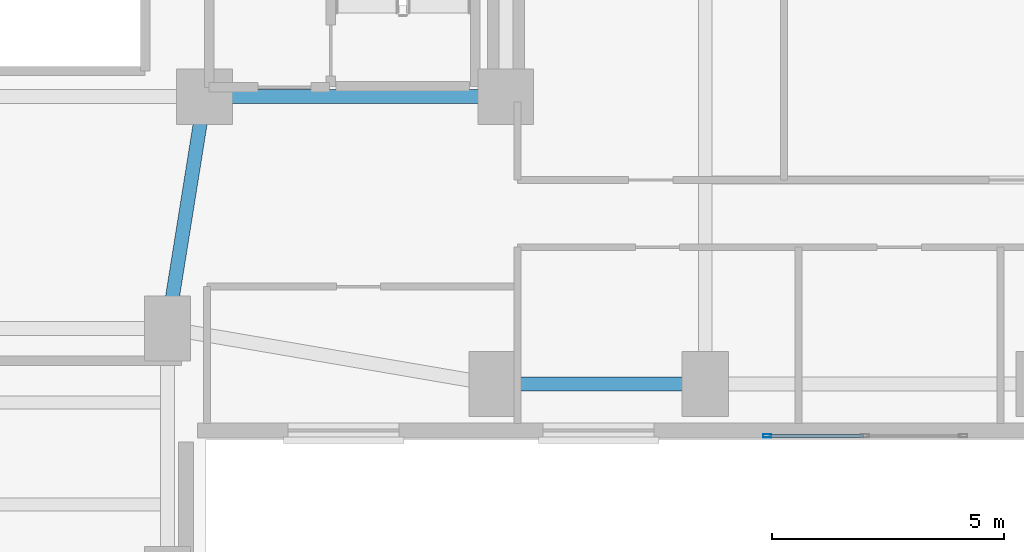
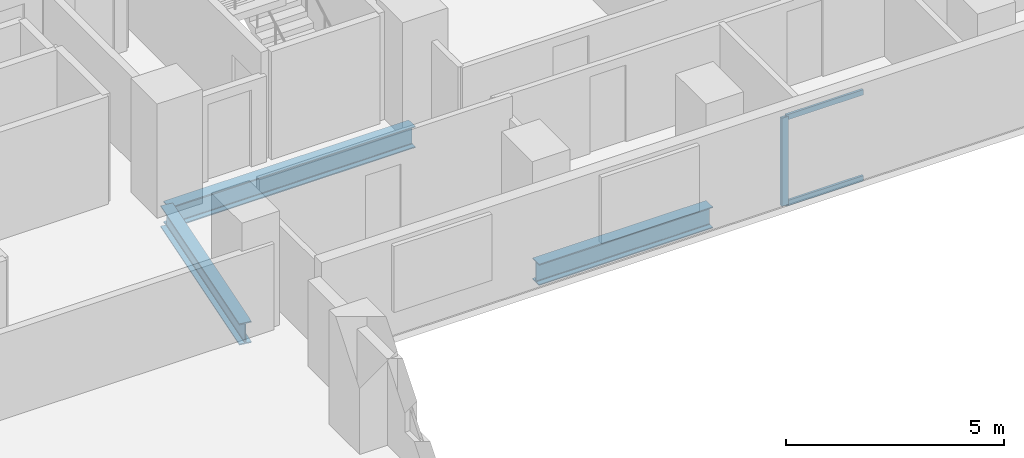
# One storey, part 4 of 15: 3 beams, 3 members, 1 element without a shape of its own.
"""IFC4 building model written with IfcOpenShell, lengths in metres."""

from ifc_helpers import new_model, si_unit, direction, frame, origin, origin_2d, place, context, subcontext, project, spatial, hollow_rectangle, i_section, extrude, material, material_profile, profile_set, type_object, element, aggregate, save


model = new_model("IFC4")

# Units and contexts
model_context = context("Model", 3, precision=1e-05, world=origin(), true_north=direction((0.0, 1.0)))
body_context = subcontext(model_context, "Body", "Model", "MODEL_VIEW")
ifc_project = project(units=[si_unit("LENGTHUNIT", "METRE"), si_unit("AREAUNIT", "SQUARE_METRE"), si_unit("VOLUMEUNIT", "CUBIC_METRE"), si_unit("PLANEANGLEUNIT", "RADIAN"), si_unit("MASSUNIT", "GRAM", prefix="KILO")], contexts=[model_context])

# Site, building, storey
site_placement = place(None, origin())
site = spatial("IfcSite", under=ifc_project, at=site_placement, CompositionType="ELEMENT")
building_placement = place(site_placement, origin())
building = spatial("IfcBuilding", under=site, at=building_placement, Name="Kuzgunbayir Cultural Tower", CompositionType="ELEMENT")
storey_placement = place(building_placement, frame((0.0, 0.0, 59.60009765625)))
storey = spatial("IfcBuildingStorey", under=building, at=storey_placement, Name="L16", CompositionType="ELEMENT", Elevation=59.60009765625)

# Beams
ifc_material_1 = material(Name="Steel S355J2", Category="steel")
ifc_material_profile_1 = material_profile(ifc_material_1, i_section(OverallWidth=0.300048828125, OverallDepth=0.60009765625, WebThickness=0.015380859375, FlangeThickness=0.030029296875, FilletRadius=0.027099609375, at=origin_2d()), Name="HEB 600")
ifc_profile_set_1 = profile_set([ifc_material_profile_1], Name="Steel S355J2")
beam_type_1 = type_object("IfcBeamType", Name="BM-EXT-HEB600", PredefinedType="BEAM", material=ifc_profile_set_1)
beam_1_placement = place(storey_placement, frame((26.60009765625, 27.60009765625, -0.47998046875), z_axis=(1.0, 0.0, 0.0), x_axis=(0.0, 1.0, 0.0)))
element("IfcBeam", 1, at=beam_1_placement, inside=storey, type_object=beam_type_1, Name="L16 Wing B South Girder 1", PredefinedType="BEAM", context=body_context, shape_type="SweptSolid", body=[
    extrude(i_section(OverallWidth=0.300048828125, OverallDepth=0.60009765625, WebThickness=0.015380859375, FlangeThickness=0.030029296875, FilletRadius=0.027099609375, at=origin_2d()), origin(), (0.0, 0.0, 1.0), 4.599853515625),
])
ifc_material_profile_2 = material_profile(ifc_material_1, i_section(OverallWidth=0.300048828125, OverallDepth=0.60009765625, WebThickness=0.015380859375, FlangeThickness=0.030029296875, FilletRadius=0.027099609375, at=origin_2d()), Name="HEB 600")
ifc_profile_set_2 = profile_set([ifc_material_profile_2], Name="Steel S355J2")
beam_type_2 = type_object("IfcBeamType", Name="BM-GIR-HEB600", PredefinedType="BEAM", material=ifc_profile_set_2)
beam_2_placement = place(storey_placement, frame((20.39990234375, 33.800048828125, -0.47998046875), z_axis=(1.0, 0.0, 0.0), x_axis=(0.0, 1.0, 0.0)))
element("IfcBeam", 2, at=beam_2_placement, inside=storey, type_object=beam_type_2, Name="L16 Core South Girder 3", PredefinedType="BEAM", context=body_context, shape_type="SweptSolid", body=[
    extrude(i_section(OverallWidth=0.300048828125, OverallDepth=0.60009765625, WebThickness=0.015380859375, FlangeThickness=0.030029296875, FilletRadius=0.027099609375, at=origin_2d()), origin(), (0.0, 0.0, 1.0), 6.5),
])
beam_3_placement = place(storey_placement, frame((19.60009765625, 28.800048828125, -0.47998046875), z_axis=(0.157952891656, 0.987446648694, 0.0), x_axis=(-0.987446648694, 0.157952891656, 0.0)))
element("IfcBeam", 3, at=beam_3_placement, inside=storey, type_object=beam_type_2, Name="L16 Wing A East Core Floor Girder", PredefinedType="BEAM", context=body_context, shape_type="SweptSolid", body=[
    extrude(i_section(OverallWidth=0.300048828125, OverallDepth=0.60009765625, WebThickness=0.015380859375, FlangeThickness=0.030029296875, FilletRadius=0.027099609375, at=origin_2d()), origin(), (0.0, 0.0, 1.0), 5.0634765625),
])

# Curtain wall, members
ifc_material_2 = material(Name="Anodised Aluminium Framing", Category="aluminium")
curtain_wall_type = type_object("IfcCurtainWallType", Name="CW03-T1-OFFICE", PredefinedType="NOTDEFINED", material=ifc_material_2)
curtain_wall_placement = place(storey_placement, origin())
curtain_wall = element("IfcCurtainWall", 4, at=curtain_wall_placement, inside=storey, type_object=curtain_wall_type, Name="L16 Wing B South Feature Curtain Wall", PredefinedType="NOTDEFINED")
ifc_material_profile_3 = material_profile(ifc_material_2, hollow_rectangle(XDim=0.074951171875, YDim=0.179931640625, WallThickness=0.0048828125, at=origin_2d()), Name="RHS 180x75x5")
ifc_profile_set_3 = profile_set([ifc_material_profile_3], Name="Anodised Aluminium Framing")
member_type_1 = type_object("IfcMemberType", Name="MEM-CW-MULLION-180", PredefinedType="MULLION", material=ifc_profile_set_3)
member_1_placement = place(storey_placement, frame((32.53759765625, 26.47998046875, 0.0), z_axis=(0.0, 0.0, 1.0), x_axis=(0.0, 1.0, 0.0)))
member_1 = element("IfcMember", 5, at=member_1_placement, type_object=member_type_1, Name="CW03 mullion 1", PredefinedType="MULLION", context=body_context, shape_type="SweptSolid", body=[
    extrude(hollow_rectangle(XDim=0.074951171875, YDim=0.179931640625, WallThickness=0.0048828125, at=origin_2d()), origin(), (0.0, 0.0, 1.0), 2.469970703125),
])
ifc_material_profile_4 = material_profile(ifc_material_2, hollow_rectangle(XDim=0.06005859375, YDim=0.14990234375, WallThickness=0.00390625, at=origin_2d()), Name="RHS 150x60x4")
ifc_profile_set_4 = profile_set([ifc_material_profile_4], Name="Anodised Aluminium Framing")
member_type_2 = type_object("IfcMemberType", Name="MEM-CW-TRANSOM-150", PredefinedType="USERDEFINED", material=ifc_profile_set_4)
member_2_placement = place(storey_placement, frame((32.574951171875, 26.47998046875, 0.02978515625), z_axis=(1.0, 0.0, 0.0), x_axis=(0.0, 1.0, 0.0)))
member_2 = element("IfcMember", 6, at=member_2_placement, type_object=member_type_2, Name="CW03 transom 1.1", ObjectType="TRANSOM", PredefinedType="USERDEFINED", context=body_context, shape_type="SweptSolid", body=[
    extrude(hollow_rectangle(XDim=0.06005859375, YDim=0.14990234375, WallThickness=0.00390625, at=origin_2d()), origin(), (0.0, 0.0, 1.0), 2.03759765625),
])
member_3_placement = place(storey_placement, frame((32.574951171875, 26.47998046875, 2.43994140625), z_axis=(1.0, 0.0, 0.0), x_axis=(0.0, 1.0, 0.0)))
member_3 = element("IfcMember", 7, at=member_3_placement, type_object=member_type_2, Name="CW03 transom 1.2", ObjectType="TRANSOM", PredefinedType="USERDEFINED", context=body_context, shape_type="SweptSolid", body=[
    extrude(hollow_rectangle(XDim=0.06005859375, YDim=0.14990234375, WallThickness=0.00390625, at=origin_2d()), origin(), (0.0, 0.0, 1.0), 2.03759765625),
])
aggregate(curtain_wall, [member_1, member_2, member_3])

save(model, "model.ifc")
